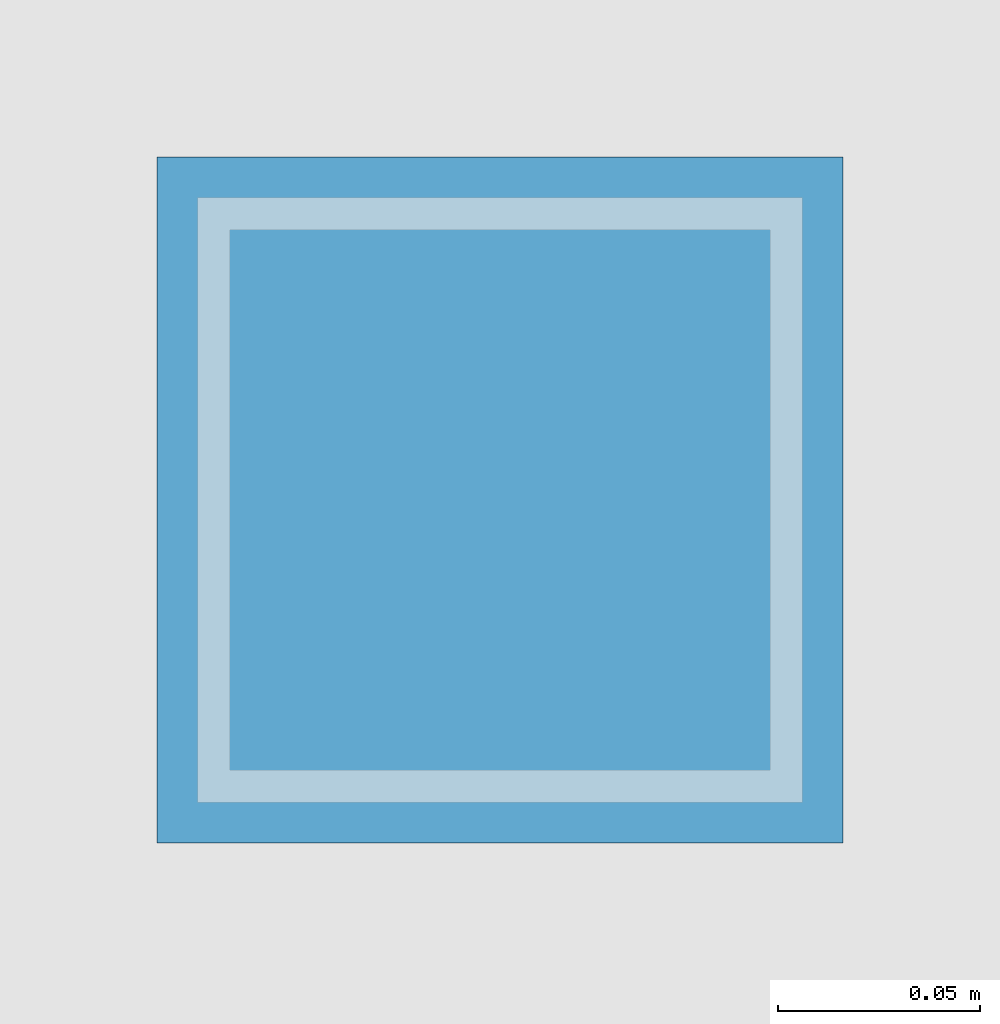
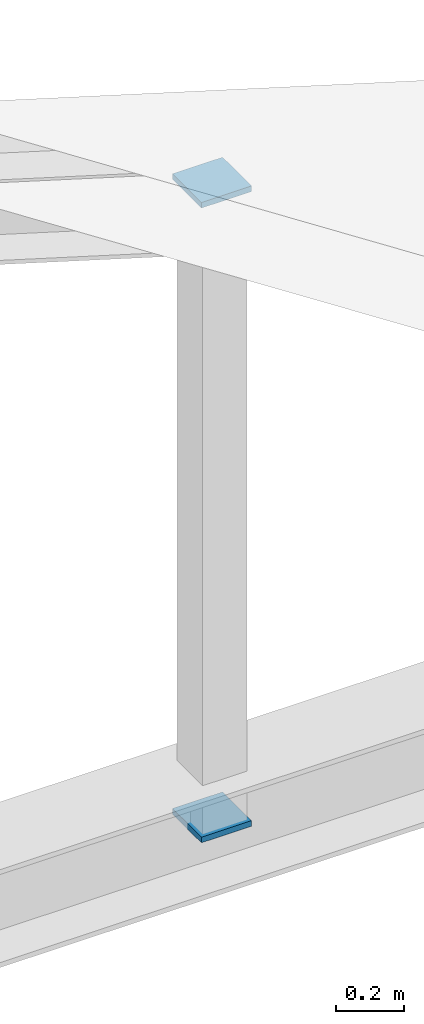
# One storey, part 202 of 204: 2 discrete accessories.
"""IFC4 building model written with IfcOpenShell, lengths in metres."""

from ifc_helpers import new_model, si_unit, direction, frame, origin, origin_2d, place, context, subcontext, project, spatial, rectangle, extrude, material, layer, layer_set, type_object, element, save


model = new_model("IFC4")

# Units and contexts
model_context = context("Model", 3, precision=1e-05, world=origin(), true_north=direction((0.0, 1.0)))
body_context = subcontext(model_context, "Body", "Model", "MODEL_VIEW")
ifc_project = project(units=[si_unit("LENGTHUNIT", "METRE"), si_unit("AREAUNIT", "SQUARE_METRE"), si_unit("VOLUMEUNIT", "CUBIC_METRE"), si_unit("PLANEANGLEUNIT", "RADIAN"), si_unit("MASSUNIT", "GRAM", prefix="KILO")], contexts=[model_context])

# Site, building, storey
site_placement = place(None, origin())
site = spatial("IfcSite", under=ifc_project, at=site_placement, CompositionType="ELEMENT")
building_placement = place(site_placement, origin())
building = spatial("IfcBuilding", under=site, at=building_placement, Name="Zilviju Railside Exhibition Hall", CompositionType="ELEMENT")
storey_placement = place(building_placement, frame((0.0, 0.0, 21.0)))
storey = spatial("IfcBuildingStorey", under=building, at=storey_placement, Name="RF", CompositionType="ELEMENT", Elevation=21.0)

# Discrete accessories
ifc_material = material(Name="Steel S355ML", Category="steel")
ifc_layer = layer(ifc_material, 0.02001953125)
ifc_layer_set = layer_set([ifc_layer], Name="Steel S355ML")
discrete_accessory_type = type_object("IfcDiscreteAccessoryType", Name="ACC-CAP-20", PredefinedType="BRACKET", material=ifc_layer_set)
for number, where, z_axis, x_axis, name in (
    (1, (70.5, 120.0, -8.419921875), (0.0, 0.0, 1.0), (1.0, 0.0, 0.0), "SHS Post End Seal Cap BOT 47"),
    (2, (70.5, 120.0, -6.14990234375), (0.0, 0.0, 1.0), (1.0, 0.0, 0.0), "SHS Post End Seal Cap TOP 48"),
):
    element("IfcDiscreteAccessory", number, at=place(storey_placement, frame(where, z_axis=z_axis, x_axis=x_axis)), inside=storey, type_object=discrete_accessory_type, Name=name, PredefinedType="BRACKET", context=body_context, shape_type="SweptSolid", body=[
        extrude(rectangle(XDim=0.169921875, YDim=0.169921875, at=origin_2d()), origin(), (0.0, 0.0, 1.0), 0.02001953125),
    ])

save(model, "model.ifc")
